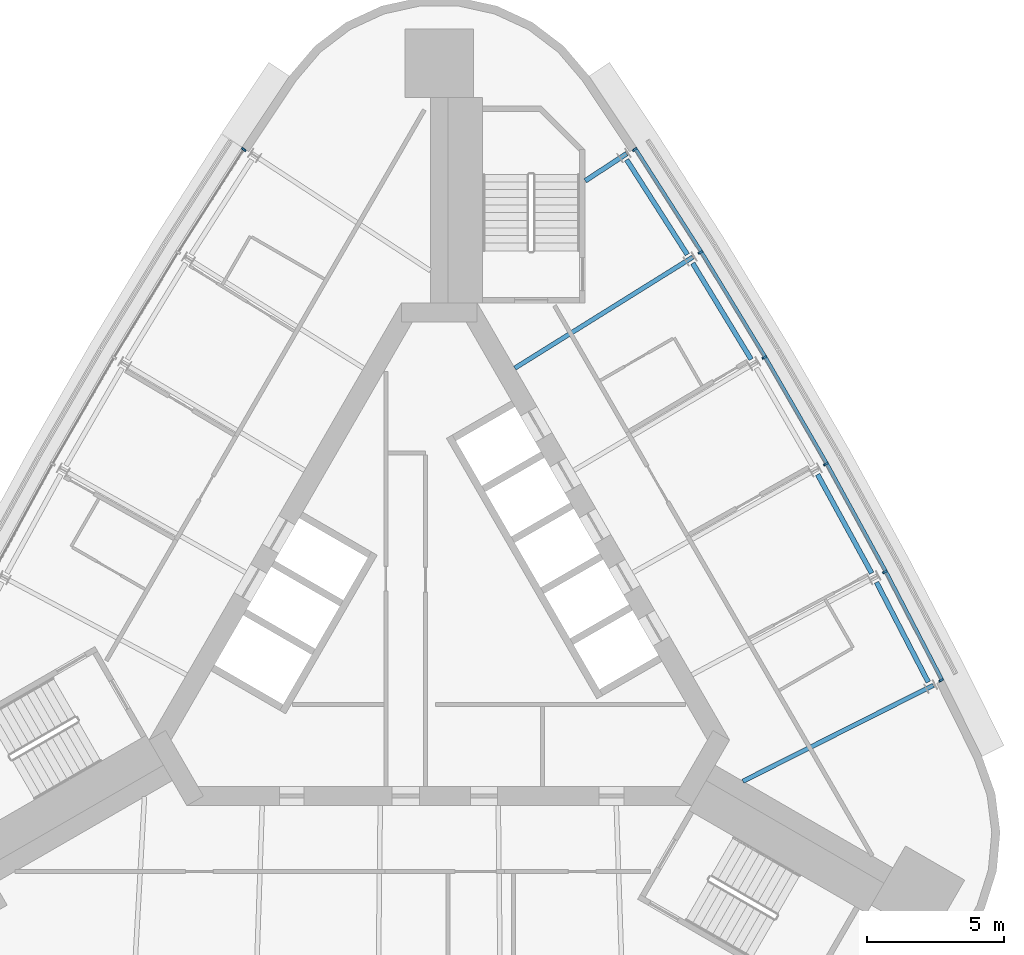
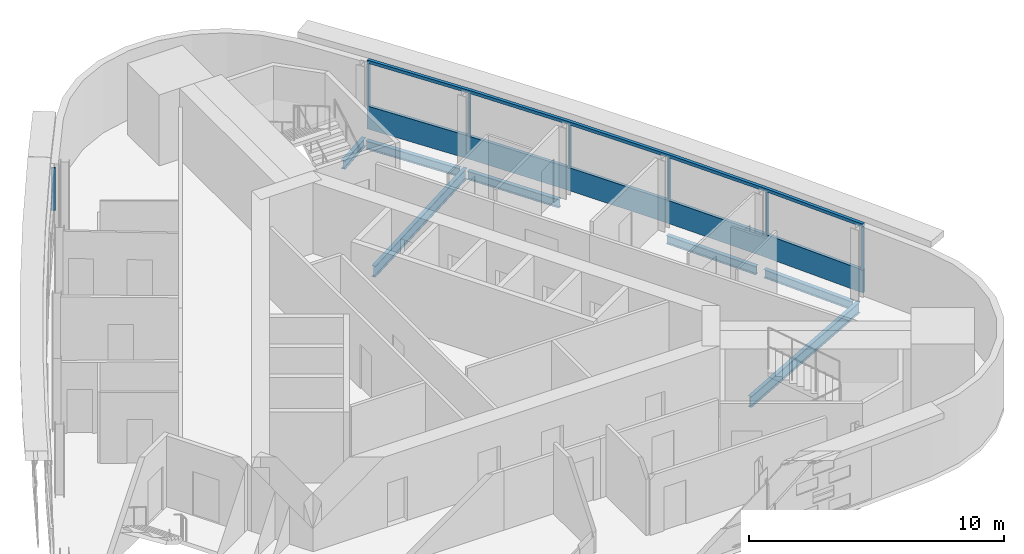
# One storey, part 4 of 9: 9 members, 7 beams, 2 elements without a shape of their own.
"""IFC4 building model written with IfcOpenShell, lengths in metres."""

from ifc_helpers import new_model, si_unit, direction, frame, origin, origin_2d, place, context, subcontext, project, spatial, polyline, rectangle, i_section, outline, extrude, material, material_profile, profile_set, type_object, element, aggregate, save


model = new_model("IFC4")

# Units and contexts
model_context = context("Model", 3, precision=1e-05, world=origin(), true_north=direction((0.0, 1.0)))
body_context = subcontext(model_context, "Body", "Model", "MODEL_VIEW")
ifc_project = project(units=[si_unit("LENGTHUNIT", "METRE"), si_unit("AREAUNIT", "SQUARE_METRE"), si_unit("VOLUMEUNIT", "CUBIC_METRE"), si_unit("PLANEANGLEUNIT", "RADIAN"), si_unit("MASSUNIT", "GRAM", prefix="KILO")], contexts=[model_context])

# Site, building, storey
site_placement = place(None, origin())
site = spatial("IfcSite", under=ifc_project, at=site_placement, CompositionType="ELEMENT")
building_placement = place(site_placement, origin())
building = spatial("IfcBuilding", under=site, at=building_placement, Name="Noor Cloister Tower", CompositionType="ELEMENT")
storey_placement = place(building_placement, frame((0.0, 0.0, 232.800048828125)))
storey = spatial("IfcBuildingStorey", under=building, at=storey_placement, Name="L60", CompositionType="ELEMENT", Elevation=232.800048828125)

# Curtain wall, member
ifc_material_1 = material(Name="Aluminium 6063-T6 anodised", Category="aluminium")
curtain_wall_type = type_object("IfcCurtainWallType", Name="Ribbon curtain wall, upper tower CW5", PredefinedType="NOTDEFINED", material=ifc_material_1)
curtain_wall_1_placement = place(storey_placement, origin())
curtain_wall_1 = element("IfcCurtainWall", 1, at=curtain_wall_1_placement, inside=storey, type_object=curtain_wall_type, Name="CW5 L60 NE run 3", PredefinedType="NOTDEFINED")
ifc_material_2 = material(Name="Aluminium 6063-T6 anodised", Category="aluminium")
member_type_1 = type_object("IfcMemberType", Name="Head transom CW5 150", PredefinedType="USERDEFINED", material=ifc_material_2)
member_1_placement = place(storey_placement, frame((0.0, 0.0, 3.14990234375)))
member_1 = element("IfcMember", 2, at=member_1_placement, type_object=member_type_1, Name="CW5 head transom", ObjectType="TRANSOM", PredefinedType="USERDEFINED", context=body_context, shape_type="SweptSolid", body=[
    extrude(outline(polyline([(18.45654296875, -2.32763671875), (16.385498046875, 1.66748046875), (14.224365234375, 5.6142578125), (11.974365234375, 9.511474609375), (9.63671875, 13.3564453125), (7.212646484375, 17.147705078125), (7.0947265625, 17.072265625), (9.517822265625, 13.282470703125), (11.853759765625, 9.43994140625), (14.102294921875, 5.545654296875), (16.26171875, 1.6015625), (18.332275390625, -2.39208984375), (18.45654296875, -2.32763671875)])), origin(), (0.0, 0.0, 1.0), 0.150146484375),
])

curtain_wall_2_placement = place(storey_placement, origin())
curtain_wall_2 = element("IfcCurtainWall", 3, at=curtain_wall_2_placement, inside=storey, type_object=curtain_wall_type, Name="CW5 L60 NW run 1", PredefinedType="NOTDEFINED")
ifc_material_3 = material(Name="Aluminium 6063-T6 anodised", Category="aluminium")
ifc_material_profile_1 = material_profile(ifc_material_3, rectangle(XDim=0.179931640625, YDim=0.070068359375, at=origin_2d()), Name="180 x 70 mullion")
ifc_profile_set_1 = profile_set([ifc_material_profile_1], Name="Aluminium 6063-T6 anodised")
member_type_2 = type_object("IfcMemberType", Name="Mullion CW5 70 x 180", PredefinedType="MULLION", material=ifc_profile_set_1)
member_2_placement = place(storey_placement, frame((-7.147216796875, 17.064208984375, 1.099853515625), z_axis=(0.0, 0.0, 1.0), x_axis=(0.842494145237, -0.538705499547, 0.0)))
member_2 = element("IfcMember", 4, at=member_2_placement, type_object=member_type_2, Name="CW5 mullion 1", PredefinedType="MULLION", context=body_context, shape_type="SweptSolid", body=[
    extrude(rectangle(XDim=0.179931640625, YDim=0.070068359375, at=origin_2d()), origin(), (0.0, 0.0, 1.0), 2.050048828125),
])
aggregate(curtain_wall_2, [member_2])

# Member
member_3_placement = place(storey_placement, frame((18.3515625, -2.342529296875, 1.099853515625), z_axis=(0.0, 0.0, 1.0), x_axis=(-0.887779720384, -0.460268582541, 0.0)))
member_3 = element("IfcMember", 5, at=member_3_placement, type_object=member_type_2, Name="CW5 mullion 1", PredefinedType="MULLION", context=body_context, shape_type="SweptSolid", body=[
    extrude(rectangle(XDim=0.179931640625, YDim=0.070068359375, at=origin_2d()), origin(), (0.0, 0.0, 1.0), 2.050048828125),
])

member_4_placement = place(storey_placement, frame((16.297119140625, 1.620361328125, 1.099853515625), z_axis=(0.0, 0.0, 1.0), x_axis=(-0.882510233786, -0.470293192874, 0.0)))
member_4 = element("IfcMember", 6, at=member_4_placement, type_object=member_type_2, Name="CW5 mullion 2", PredefinedType="MULLION", context=body_context, shape_type="SweptSolid", body=[
    extrude(rectangle(XDim=0.179931640625, YDim=0.070068359375, at=origin_2d()), origin(), (0.0, 0.0, 1.0), 2.050048828125),
])

member_5_placement = place(storey_placement, frame((14.13720703125, 5.5654296875, 1.099853515625), z_axis=(0.0, 0.0, 1.0), x_axis=(-0.871632377887, -0.490160175676, 0.0)))
member_5 = element("IfcMember", 7, at=member_5_placement, type_object=member_type_2, Name="CW5 mullion 3", PredefinedType="MULLION", context=body_context, shape_type="SweptSolid", body=[
    extrude(rectangle(XDim=0.179931640625, YDim=0.070068359375, at=origin_2d()), origin(), (0.0, 0.0, 1.0), 2.050048828125),
])

member_6_placement = place(storey_placement, frame((11.88818359375, 9.46044921875, 1.099853515625), z_axis=(0.0, 0.0, 1.0), x_axis=(-0.860307353002, -0.509775694174, 0.0)))
member_6 = element("IfcMember", 8, at=member_6_placement, type_object=member_type_2, Name="CW5 mullion 4", PredefinedType="MULLION", context=body_context, shape_type="SweptSolid", body=[
    extrude(rectangle(XDim=0.179931640625, YDim=0.070068359375, at=origin_2d()), origin(), (0.0, 0.0, 1.0), 2.050048828125),
])

member_7_placement = place(storey_placement, frame((9.5517578125, 13.303466796875, 1.099853515625), z_axis=(0.0, 0.0, 1.0), x_axis=(-0.848540969148, -0.529129685121, 0.0)))
member_7 = element("IfcMember", 9, at=member_7_placement, type_object=member_type_2, Name="CW5 mullion 5", PredefinedType="MULLION", context=body_context, shape_type="SweptSolid", body=[
    extrude(rectangle(XDim=0.179931640625, YDim=0.070068359375, at=origin_2d()), origin(), (0.0, 0.0, 1.0), 2.050048828125),
])

member_8_placement = place(storey_placement, frame((7.147216796875, 17.064208984375, 1.099853515625), z_axis=(0.0, 0.0, 1.0), x_axis=(-0.842494145237, -0.538705499547, 0.0)))
member_8 = element("IfcMember", 10, at=member_8_placement, type_object=member_type_2, Name="CW5 mullion 6", PredefinedType="MULLION", context=body_context, shape_type="SweptSolid", body=[
    extrude(rectangle(XDim=0.179931640625, YDim=0.070068359375, at=origin_2d()), origin(), (0.0, 0.0, 1.0), 2.050048828125),
])

# Beams
ifc_material_4 = material(Name="Steel ASTM A992 Gr 50", Category="steel")
ifc_material_profile_2 = material_profile(ifc_material_4, i_section(OverallWidth=0.177978515625, OverallDepth=0.406005859375, WebThickness=0.0078125, FlangeThickness=0.0126953125, FilletRadius=0.01025390625, at=origin_2d()), Name="W410x60")
ifc_profile_set_2 = profile_set([ifc_material_profile_2], Name="Steel ASTM A992 Gr 50")
beam_type_1 = type_object("IfcBeamType", Name="Radial beam W410x60", PredefinedType="BEAM", material=ifc_profile_set_2)
beam_1_placement = place(storey_placement, frame((6.849609375, 16.90966796875, -0.403076171875), z_axis=(-0.836320398794, -0.54824099679, 0.0), x_axis=(0.54824099679, -0.836320398794, 0.0)))
element("IfcBeam", 11, at=beam_1_placement, inside=storey, type_object=beam_type_1, Name="Radial beam NE 06 L60", PredefinedType="BEAM", context=body_context, shape_type="SweptSolid", body=[
    extrude(i_section(OverallWidth=0.177978515625, OverallDepth=0.406005859375, WebThickness=0.0078125, FlangeThickness=0.0126953125, FilletRadius=0.01025390625, at=origin_2d()), origin(), (0.0, 0.0, 1.0), 1.810302734375),
])
ifc_material_5 = material(Name="Steel ASTM A992 Gr 50", Category="steel")
ifc_material_profile_3 = material_profile(ifc_material_5, i_section(OverallWidth=0.166015625, OverallDepth=0.528076171875, WebThickness=0.009765625, FlangeThickness=0.013671875, FilletRadius=0.0126953125, at=origin_2d()), Name="W530x74")
ifc_profile_set_3 = profile_set([ifc_material_profile_3], Name="Steel ASTM A992 Gr 50")
beam_type_2 = type_object("IfcBeamType", Name="Radial beam W530x74", PredefinedType="BEAM", material=ifc_profile_set_3)
beam_2_placement = place(storey_placement, frame((18.069091796875, -2.52294921875, -0.464111328125), z_axis=(-0.892945231909, -0.450165317201, 0.0), x_axis=(0.450165317201, -0.892945231909, 0.0)))
element("IfcBeam", 12, at=beam_2_placement, inside=storey, type_object=beam_type_2, Name="Radial beam NE 01 L60", PredefinedType="BEAM", context=body_context, shape_type="SweptSolid", body=[
    extrude(i_section(OverallWidth=0.166015625, OverallDepth=0.528076171875, WebThickness=0.009765625, FlangeThickness=0.013671875, FilletRadius=0.0126953125, at=origin_2d()), origin(), (0.0, 0.0, 1.0), 7.801513671875),
])
beam_3_placement = place(storey_placement, frame((9.268310546875, 13.126953125, -0.464111328125), z_axis=(-0.848529236207, -0.529148500237, 0.0), x_axis=(0.529148500237, -0.848529236207, 0.0)))
element("IfcBeam", 13, at=beam_3_placement, inside=storey, type_object=beam_type_2, Name="Radial beam NE 05 L60", PredefinedType="BEAM", context=body_context, shape_type="SweptSolid", body=[
    extrude(i_section(OverallWidth=0.166015625, OverallDepth=0.528076171875, WebThickness=0.009765625, FlangeThickness=0.013671875, FilletRadius=0.0126953125, at=origin_2d()), origin(), (0.0, 0.0, 1.0), 7.666259765625),
])

# Member
ifc_material_6 = material(Name="Aluminium 6063-T6 anodised", Category="aluminium")
member_type_3 = type_object("IfcMemberType", Name="Sill transom CW5 1100", PredefinedType="USERDEFINED", material=ifc_material_6)
member_9_placement = place(storey_placement, origin())
member_9 = element("IfcMember", 14, at=member_9_placement, type_object=member_type_3, Name="CW5 sill transom", ObjectType="TRANSOM", PredefinedType="USERDEFINED", context=body_context, shape_type="SweptSolid", body=[
    extrude(outline(polyline([(18.45654296875, -2.32763671875), (16.385498046875, 1.66748046875), (14.224365234375, 5.6142578125), (11.974365234375, 9.511474609375), (9.63671875, 13.3564453125), (7.212646484375, 17.147705078125), (7.0947265625, 17.072265625), (9.517822265625, 13.282470703125), (11.853759765625, 9.43994140625), (14.102294921875, 5.545654296875), (16.26171875, 1.6015625), (18.332275390625, -2.39208984375), (18.45654296875, -2.32763671875)])), origin(), (0.0, 0.0, 1.0), 1.099853515625),
])

aggregate(curtain_wall_1, [member_3, member_4, member_5, member_6, member_7, member_8, member_9, member_1])

# Beams
ifc_material_7 = material(Name="Steel ASTM A992 Gr 50", Category="steel")
ifc_material_profile_4 = material_profile(ifc_material_7, i_section(OverallWidth=0.177978515625, OverallDepth=0.406005859375, WebThickness=0.0078125, FlangeThickness=0.0126953125, FilletRadius=0.01025390625, at=origin_2d()), Name="W410x60")
ifc_profile_set_4 = profile_set([ifc_material_profile_4], Name="Steel ASTM A992 Gr 50")
beam_type_3 = type_object("IfcBeamType", Name="Spandrel beam W410x60", PredefinedType="SPANDREL", material=ifc_profile_set_4)
for number, where, z_axis, x_axis, name in (
    (15, (17.879638671875, -2.40966796875, -0.403076171875), (-0.46026693686, 0.887780573584, 0.0), (-0.887780573584, -0.46026693686, 0.0), "Spandrel beam NE 01 L60"),
    (16, (15.810546875, 1.572265625, -0.403076171875), (-0.480273321949, 0.877118883746, 0.0), (-0.877118883746, -0.480273321949, 0.0), "Spandrel beam NE 02 L60"),
    (17, (11.404296875, 9.390380859375, -0.403076171875), (-0.519504501884, 0.854467712978, 0.0), (-0.854467712978, -0.519504501884, 0.0), "Spandrel beam NE 04 L60"),
    (18, (9.069580078125, 13.22265625, -0.403076171875), (-0.538728678653, 0.842479323661, 0.0), (-0.842479323661, -0.538728678653, 0.0), "Spandrel beam NE 05 L60"),
):
    element("IfcBeam", number, at=place(storey_placement, frame(where, z_axis=z_axis, x_axis=x_axis)), inside=storey, type_object=beam_type_3, Name=name, PredefinedType="SPANDREL", context=body_context, shape_type="SweptSolid", body=[
        extrude(i_section(OverallWidth=0.177978515625, OverallDepth=0.406005859375, WebThickness=0.0078125, FlangeThickness=0.0126953125, FilletRadius=0.01025390625, at=origin_2d()), origin(), (0.0, 0.0, 1.0), 4.114501953125),
    ])

save(model, "model.ifc")
